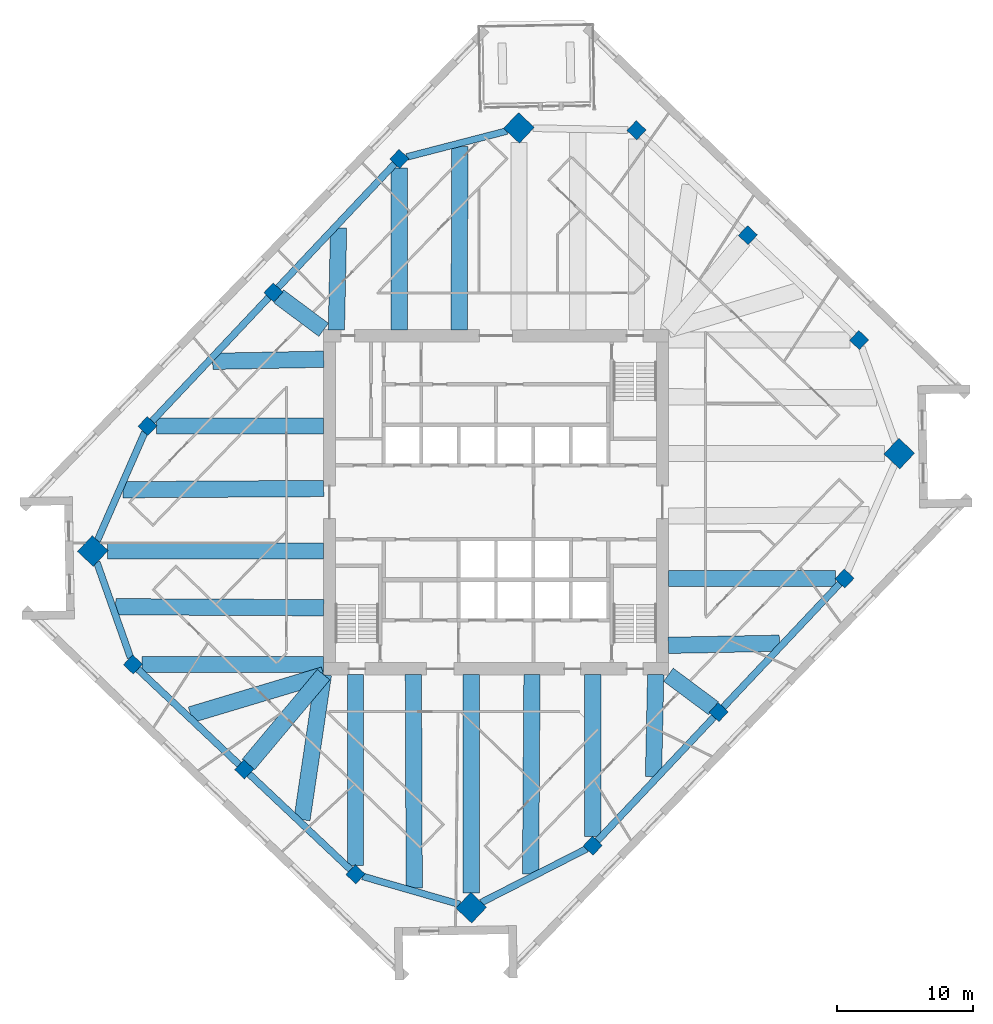
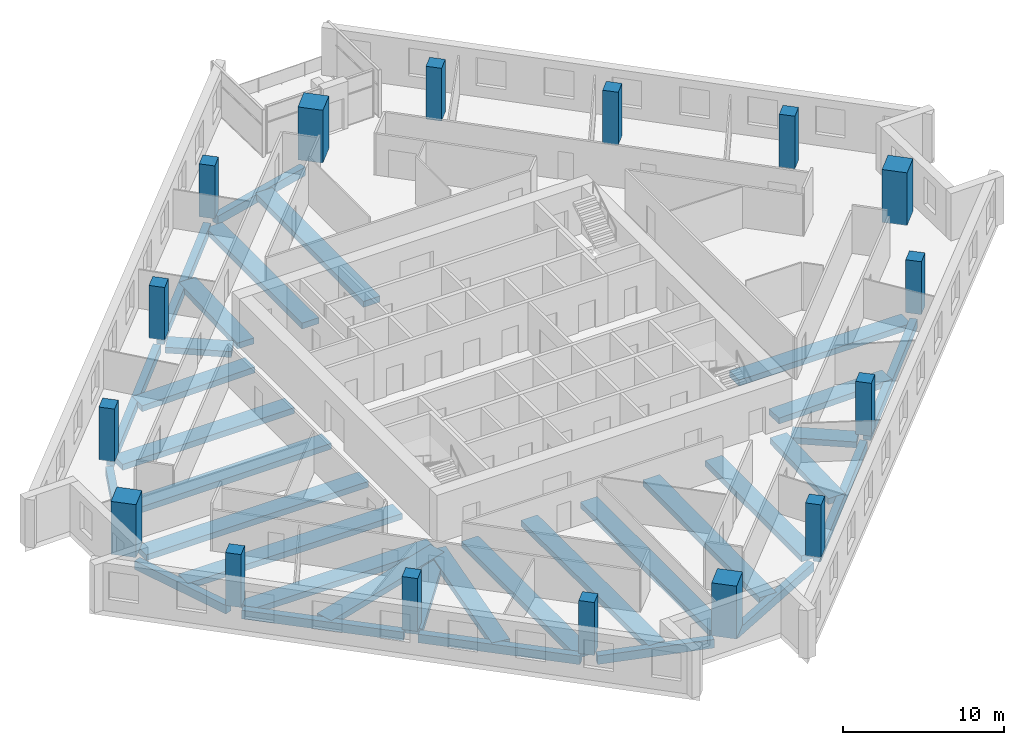
# One storey, part 1 of 13: 33 beams, 16 columns.
"""IFC4 building model written with IfcOpenShell, lengths in metres."""

from ifc_helpers import new_model, si_unit, direction, frame, origin, origin_2d, place, context, subcontext, project, spatial, rectangle, extrude, material, material_profile, profile_set, type_object, element, save


model = new_model("IFC4")

# Units and contexts
model_context = context("Model", 3, precision=1e-05, world=origin(), true_north=direction((0.0, 1.0)))
body_context = subcontext(model_context, "Body", "Model", "MODEL_VIEW")
ifc_project = project(units=[si_unit("LENGTHUNIT", "METRE"), si_unit("AREAUNIT", "SQUARE_METRE"), si_unit("VOLUMEUNIT", "CUBIC_METRE"), si_unit("PLANEANGLEUNIT", "RADIAN"), si_unit("MASSUNIT", "GRAM", prefix="KILO")], contexts=[model_context])

# Site, building, storey
site_placement = place(None, origin())
site = spatial("IfcSite", under=ifc_project, at=site_placement, CompositionType="ELEMENT")
building_placement = place(site_placement, origin())
building = spatial("IfcBuilding", under=site, at=building_placement, Name="Dilmun Exchange Tower", CompositionType="ELEMENT")
storey_placement = place(building_placement, frame((0.0, 0.0, 209.300048828125)))
storey = spatial("IfcBuildingStorey", under=building, at=storey_placement, Name="L49", CompositionType="ELEMENT", Elevation=209.300048828125)

# Columns
ifc_material_1 = material(Name="Concrete C60/75", Category="concrete")
ifc_material_profile_1 = material_profile(ifc_material_1, rectangle(XDim=1.60009765625, YDim=1.60009765625, at=origin_2d()), Name="1600 x 1600")
ifc_profile_set_1 = profile_set([ifc_material_profile_1], Name="Concrete C60/75")
column_type_1 = type_object("IfcColumnType", Name="RC mega column 1600 x 1600 C60/75", PredefinedType="COLUMN", material=ifc_profile_set_1)
for number, where, z_axis, x_axis, name in (
    (1, (1.68505859375, 27.5380859375, 0.0), (0.0, 0.0, 1.0), (0.685916152371, 0.727680583715, 0.0), "Mega column M1"),
    (2, (-29.658935546875, -3.58203125, 0.0), (0.0, 0.0, 1.0), (0.685916152371, 0.727680583715, 0.0), "Mega column M2"),
    (3, (-1.824951171875, -29.818115234375, 0.0), (0.0, 0.0, 1.0), (0.685916152371, 0.727680583715, 0.0), "Mega column M3"),
    (4, (29.658935546875, 3.58203125, 0.0), (0.0, 0.0, 1.0), (0.685916152371, 0.727680583715, 0.0), "Mega column M4"),
):
    element("IfcColumn", number, at=place(storey_placement, frame(where, z_axis=z_axis, x_axis=x_axis)), inside=storey, type_object=column_type_1, Name=name, PredefinedType="COLUMN", context=body_context, shape_type="SweptSolid", body=[
        extrude(rectangle(XDim=1.60009765625, YDim=1.60009765625, at=origin_2d()), origin(), (0.0, 0.0, 1.0), 4.0),
    ])
ifc_material_profile_2 = material_profile(ifc_material_1, rectangle(XDim=1.0, YDim=1.0, at=origin_2d()), Name="1000 x 1000")
ifc_profile_set_2 = profile_set([ifc_material_profile_2], Name="Concrete C60/75")
column_type_2 = type_object("IfcColumnType", Name="RC ring column 1000 x 1000 C60/75", PredefinedType="COLUMN", material=ifc_profile_set_2)
for number, where, z_axis, x_axis, name in (
    (5, (-7.113037109375, 25.257080078125, 0.0), (0.0, 0.0, 1.0), (0.685916152371, 0.727680583715, 0.0), "Ring column R01"),
    (6, (-16.373046875, 15.43310546875, 0.0), (0.0, 0.0, 1.0), (0.685916152371, 0.727680583715, 0.0), "Ring column R02"),
    (7, (-25.633056640625, 5.60888671875, 0.0), (0.0, 0.0, 1.0), (0.685916152371, 0.727680583715, 0.0), "Ring column R03"),
    (8, (-26.7060546875, -11.930908203125, 0.0), (0.0, 0.0, 1.0), (0.685916152371, 0.727680583715, 0.0), "Ring column R04"),
    (9, (-18.52001953125, -19.64697265625, 0.0), (0.0, 0.0, 1.0), (0.685916152371, 0.727680583715, 0.0), "Ring column R05"),
    (10, (-10.3330078125, -27.364013671875, 0.0), (0.0, 0.0, 1.0), (0.685916152371, 0.727680583715, 0.0), "Ring column R06"),
    (11, (7.113037109375, -25.257080078125, 0.0), (0.0, 0.0, 1.0), (0.685916152371, 0.727680583715, 0.0), "Ring column R07"),
    (12, (16.373046875, -15.43310546875, 0.0), (0.0, 0.0, 1.0), (0.685916152371, 0.727680583715, 0.0), "Ring column R08"),
    (13, (25.633056640625, -5.60888671875, 0.0), (0.0, 0.0, 1.0), (0.685916152371, 0.727680583715, 0.0), "Ring column R09"),
    (14, (26.7060546875, 11.930908203125, 0.0), (0.0, 0.0, 1.0), (0.685916152371, 0.727680583715, 0.0), "Ring column R10"),
    (15, (18.52001953125, 19.64697265625, 0.0), (0.0, 0.0, 1.0), (0.685916152371, 0.727680583715, 0.0), "Ring column R11"),
    (16, (10.3330078125, 27.364013671875, 0.0), (0.0, 0.0, 1.0), (0.685916152371, 0.727680583715, 0.0), "Ring column R12"),
):
    element("IfcColumn", number, at=place(storey_placement, frame(where, z_axis=z_axis, x_axis=x_axis)), inside=storey, type_object=column_type_2, Name=name, PredefinedType="COLUMN", context=body_context, shape_type="SweptSolid", body=[
        extrude(rectangle(XDim=1.0, YDim=1.0, at=origin_2d()), origin(), (0.0, 0.0, 1.0), 4.0),
    ])

# Beams
ifc_material_2 = material(Name="Concrete C40/50", Category="concrete")
ifc_material_profile_3 = material_profile(ifc_material_2, rectangle(XDim=1.199951171875, YDim=0.449951171875, at=origin_2d()), Name="1200 x 450")
ifc_profile_set_3 = profile_set([ifc_material_profile_3], Name="Concrete C40/50")
beam_type_1 = type_object("IfcBeamType", Name="RC band beam 1200 x 450 C40/50", PredefinedType="BEAM", material=ifc_profile_set_3)
beam_1_placement = place(storey_placement, frame((-7.113037109375, 24.596923828125, -0.705078125), z_axis=(0.0, -1.0, 0.0), x_axis=(1.0, 0.0, 0.0)))
element("IfcBeam", 17, at=beam_1_placement, inside=storey, type_object=beam_type_1, Name="Band beam 2", PredefinedType="BEAM", context=body_context, shape_type="SweptSolid", body=[
    extrude(rectangle(XDim=1.199951171875, YDim=0.449951171875, at=origin_2d()), origin(), (0.0, 0.0, 1.0), 11.923828125),
])
beam_2_placement = place(storey_placement, frame((-15.99072265625, 15.148681640625, -0.705078125), z_axis=(0.802264832552, -0.596968289317, 0.0), x_axis=(0.596968289317, 0.802264832552, 0.0)))
element("IfcBeam", 18, at=beam_2_placement, inside=storey, type_object=beam_type_1, Name="Band beam 3", PredefinedType="BEAM", context=body_context, shape_type="SweptSolid", body=[
    extrude(rectangle(XDim=1.199951171875, YDim=0.449951171875, at=origin_2d()), origin(), (0.0, 0.0, 1.0), 4.12890625),
])
beam_3_placement = place(storey_placement, frame((-24.972900390625, 5.60888671875, -0.705078125), z_axis=(1.0, 0.0, 0.0), x_axis=(0.0, 1.0, 0.0)))
element("IfcBeam", 19, at=beam_3_placement, inside=storey, type_object=beam_type_1, Name="Band beam 4", PredefinedType="BEAM", context=body_context, shape_type="SweptSolid", body=[
    extrude(rectangle(XDim=1.199951171875, YDim=0.449951171875, at=origin_2d()), origin(), (0.0, 0.0, 1.0), 12.2998046875),
])
beam_4_placement = place(storey_placement, frame((-28.586669921875, -3.58203125, -0.705078125), z_axis=(1.0, 0.0, 0.0), x_axis=(0.0, 1.0, 0.0)))
element("IfcBeam", 20, at=beam_4_placement, inside=storey, type_object=beam_type_1, Name="Band beam 5", PredefinedType="BEAM", context=body_context, shape_type="SweptSolid", body=[
    extrude(rectangle(XDim=1.199951171875, YDim=0.449951171875, at=origin_2d()), origin(), (0.0, 0.0, 1.0), 15.91357421875),
])
beam_5_placement = place(storey_placement, frame((-26.0458984375, -11.930908203125, -0.705078125), z_axis=(1.0, 0.0, 0.0), x_axis=(0.0, 1.0, 0.0)))
element("IfcBeam", 21, at=beam_5_placement, inside=storey, type_object=beam_type_1, Name="Band beam 6", PredefinedType="BEAM", context=body_context, shape_type="SweptSolid", body=[
    extrude(rectangle(XDim=1.199951171875, YDim=0.449951171875, at=origin_2d()), origin(), (0.0, 0.0, 1.0), 13.372802734375),
])
beam_6_placement = place(storey_placement, frame((-18.2158203125, -19.28369140625, -0.705078125), z_axis=(0.642200063897, 0.766537068856, 0.0), x_axis=(-0.766537068856, 0.642200063897, 0.0)))
element("IfcBeam", 22, at=beam_6_placement, inside=storey, type_object=beam_type_1, Name="Band beam 7", PredefinedType="BEAM", context=body_context, shape_type="SweptSolid", body=[
    extrude(rectangle(XDim=1.199951171875, YDim=0.449951171875, at=origin_2d()), origin(), (0.0, 0.0, 1.0), 8.615966796875),
])
beam_7_placement = place(storey_placement, frame((-10.3330078125, -26.703857421875, -0.705078125), z_axis=(0.0, 1.0, 0.0), x_axis=(-1.0, 0.0, 0.0)))
element("IfcBeam", 23, at=beam_7_placement, inside=storey, type_object=beam_type_1, Name="Band beam 8", PredefinedType="BEAM", context=body_context, shape_type="SweptSolid", body=[
    extrude(rectangle(XDim=1.199951171875, YDim=0.449951171875, at=origin_2d()), origin(), (0.0, 0.0, 1.0), 14.03076171875),
])
beam_8_placement = place(storey_placement, frame((-1.824951171875, -28.74560546875, -0.705078125), z_axis=(0.0, 1.0, 0.0), x_axis=(-1.0, 0.0, 0.0)))
element("IfcBeam", 24, at=beam_8_placement, inside=storey, type_object=beam_type_1, Name="Band beam 9", PredefinedType="BEAM", context=body_context, shape_type="SweptSolid", body=[
    extrude(rectangle(XDim=1.199951171875, YDim=0.449951171875, at=origin_2d()), origin(), (0.0, 0.0, 1.0), 16.072509765625),
])
beam_9_placement = place(storey_placement, frame((7.113037109375, -24.596923828125, -0.705078125), z_axis=(0.0, 1.0, 0.0), x_axis=(-1.0, 0.0, 0.0)))
element("IfcBeam", 25, at=beam_9_placement, inside=storey, type_object=beam_type_1, Name="Band beam 10", PredefinedType="BEAM", context=body_context, shape_type="SweptSolid", body=[
    extrude(rectangle(XDim=1.199951171875, YDim=0.449951171875, at=origin_2d()), origin(), (0.0, 0.0, 1.0), 11.923828125),
])
beam_10_placement = place(storey_placement, frame((15.99072265625, -15.148681640625, -0.705078125), z_axis=(-0.802264832552, 0.596968289317, 0.0), x_axis=(-0.596968289317, -0.802264832552, 0.0)))
element("IfcBeam", 26, at=beam_10_placement, inside=storey, type_object=beam_type_1, Name="Band beam 11", PredefinedType="BEAM", context=body_context, shape_type="SweptSolid", body=[
    extrude(rectangle(XDim=1.199951171875, YDim=0.449951171875, at=origin_2d()), origin(), (0.0, 0.0, 1.0), 4.12890625),
])
beam_11_placement = place(storey_placement, frame((24.972900390625, -5.60888671875, -0.705078125), z_axis=(-1.0, 0.0, 0.0), x_axis=(0.0, -1.0, 0.0)))
element("IfcBeam", 27, at=beam_11_placement, inside=storey, type_object=beam_type_1, Name="Band beam 12", PredefinedType="BEAM", context=body_context, shape_type="SweptSolid", body=[
    extrude(rectangle(XDim=1.199951171875, YDim=0.449951171875, at=origin_2d()), origin(), (0.0, 0.0, 1.0), 12.2998046875),
])
beam_12_placement = place(storey_placement, frame((-2.657958984375, 26.181640625, -0.60498046875), z_axis=(-0.004156765881, -0.999991360611, 0.0), x_axis=(0.999991360611, -0.004156765881, 0.0)))
element("IfcBeam", 28, at=beam_12_placement, inside=storey, type_object=beam_type_1, Name="Band beam 17", PredefinedType="BEAM", context=body_context, shape_type="SweptSolid", body=[
    extrude(rectangle(XDim=1.199951171875, YDim=0.449951171875, at=origin_2d()), origin(), (0.0, 0.0, 1.0), 13.508544921875),
])
beam_13_placement = place(storey_placement, frame((-11.580810546875, 20.19189453125, -0.60498046875), z_axis=(-0.021555532074, -0.999767652526, 0.0), x_axis=(0.999767652526, -0.021555532074, 0.0)))
element("IfcBeam", 29, at=beam_13_placement, inside=storey, type_object=beam_type_1, Name="Band beam 18", PredefinedType="BEAM", context=body_context, shape_type="SweptSolid", body=[
    extrude(rectangle(XDim=1.199951171875, YDim=0.449951171875, at=origin_2d()), origin(), (0.0, 0.0, 1.0), 7.5205078125),
])
beam_14_placement = place(storey_placement, frame((-20.8408203125, 10.367919921875, -0.60498046875), z_axis=(0.999824422594, 0.018738302585, 0.0), x_axis=(-0.018738302585, 0.999824422594, 0.0)))
element("IfcBeam", 30, at=beam_14_placement, inside=storey, type_object=beam_type_1, Name="Band beam 19", PredefinedType="BEAM", context=body_context, shape_type="SweptSolid", body=[
    extrude(rectangle(XDim=1.199951171875, YDim=0.449951171875, at=origin_2d()), origin(), (0.0, 0.0, 1.0), 8.169189453125),
])
beam_15_placement = place(storey_placement, frame((-27.441650390625, 0.924072265625, -0.60498046875), z_axis=(0.999981696912, 0.006050276087, 0.0), x_axis=(-0.006050276087, 0.999981696912, 0.0)))
element("IfcBeam", 31, at=beam_15_placement, inside=storey, type_object=beam_type_1, Name="Band beam 20", PredefinedType="BEAM", context=body_context, shape_type="SweptSolid", body=[
    extrude(rectangle(XDim=1.199951171875, YDim=0.449951171875, at=origin_2d()), origin(), (0.0, 0.0, 1.0), 14.768798828125),
])
beam_16_placement = place(storey_placement, frame((-27.972412109375, -7.68212890625, -0.60498046875), z_axis=(0.99998815601, -0.004867015408, 0.0), x_axis=(0.004867015408, 0.99998815601, 0.0)))
element("IfcBeam", 32, at=beam_16_placement, inside=storey, type_object=beam_type_1, Name="Band beam 21", PredefinedType="BEAM", context=body_context, shape_type="SweptSolid", body=[
    extrude(rectangle(XDim=1.199951171875, YDim=0.449951171875, at=origin_2d()), origin(), (0.0, 0.0, 1.0), 15.299560546875),
])
beam_17_placement = place(storey_placement, frame((-22.4599609375, -15.626708984375, -0.60498046875), z_axis=(0.957849959988, 0.287268957862, 0.0), x_axis=(-0.287268957862, 0.957849959988, 0.0)))
element("IfcBeam", 33, at=beam_17_placement, inside=storey, type_object=beam_type_1, Name="Band beam 22", PredefinedType="BEAM", context=body_context, shape_type="SweptSolid", body=[
    extrude(rectangle(XDim=1.199951171875, YDim=0.449951171875, at=origin_2d()), origin(), (0.0, 0.0, 1.0), 10.21630859375),
])
beam_18_placement = place(storey_placement, frame((-14.2734375, -23.34326171875, -0.60498046875), z_axis=(0.146268101323, 0.989244986106, 0.0), x_axis=(-0.989244986106, 0.146268101323, 0.0)))
element("IfcBeam", 34, at=beam_18_placement, inside=storey, type_object=beam_type_1, Name="Band beam 23", PredefinedType="BEAM", context=body_context, shape_type="SweptSolid", body=[
    extrude(rectangle(XDim=1.199951171875, YDim=0.449951171875, at=origin_2d()), origin(), (0.0, 0.0, 1.0), 10.785888671875),
])
beam_19_placement = place(storey_placement, frame((-6.01708984375, -28.376708984375, -0.60498046875), z_axis=(-0.003948851398, 0.999992203256, 0.0), x_axis=(-0.999992203256, -0.003948851398, 0.0)))
element("IfcBeam", 35, at=beam_19_placement, inside=storey, type_object=beam_type_1, Name="Band beam 24", PredefinedType="BEAM", context=body_context, shape_type="SweptSolid", body=[
    extrude(rectangle(XDim=1.199951171875, YDim=0.449951171875, at=origin_2d()), origin(), (0.0, 0.0, 1.0), 15.703857421875),
])
beam_20_placement = place(storey_placement, frame((2.54248046875, -27.3388671875, -0.60498046875), z_axis=(0.006924972536, 0.99997602209, 0.0), x_axis=(-0.99997602209, 0.006924972536, 0.0)))
element("IfcBeam", 36, at=beam_20_placement, inside=storey, type_object=beam_type_1, Name="Band beam 25", PredefinedType="BEAM", context=body_context, shape_type="SweptSolid", body=[
    extrude(rectangle(XDim=1.199951171875, YDim=0.449951171875, at=origin_2d()), origin(), (0.0, 0.0, 1.0), 14.666015625),
])
beam_21_placement = place(storey_placement, frame((11.580810546875, -20.19189453125, -0.60498046875), z_axis=(0.021555532074, 0.999767652526, 0.0), x_axis=(-0.999767652526, 0.021555532074, 0.0)))
element("IfcBeam", 37, at=beam_21_placement, inside=storey, type_object=beam_type_1, Name="Band beam 26", PredefinedType="BEAM", context=body_context, shape_type="SweptSolid", body=[
    extrude(rectangle(XDim=1.199951171875, YDim=0.449951171875, at=origin_2d()), origin(), (0.0, 0.0, 1.0), 7.5205078125),
])
beam_22_placement = place(storey_placement, frame((20.8408203125, -10.367919921875, -0.60498046875), z_axis=(-0.999824422594, -0.018738302585, 0.0), x_axis=(0.018738302585, -0.999824422594, 0.0)))
element("IfcBeam", 38, at=beam_22_placement, inside=storey, type_object=beam_type_1, Name="Band beam 27", PredefinedType="BEAM", context=body_context, shape_type="SweptSolid", body=[
    extrude(rectangle(XDim=1.199951171875, YDim=0.449951171875, at=origin_2d()), origin(), (0.0, 0.0, 1.0), 8.169189453125),
])
ifc_material_profile_4 = material_profile(ifc_material_2, rectangle(XDim=0.5, YDim=0.64990234375, at=origin_2d()), Name="500 x 650")
ifc_profile_set_4 = profile_set([ifc_material_profile_4], Name="Concrete C40/50")
beam_type_2 = type_object("IfcBeamType", Name="RC ring beam 500 x 650 C40/50", PredefinedType="SPANDREL", material=ifc_profile_set_4)
beam_23_placement = place(storey_placement, frame((0.79638671875, 27.3076171875, -0.705078125), z_axis=(-0.967995165605, -0.250968841424, 0.0), x_axis=(0.250968841424, -0.967995165605, 0.0)))
element("IfcBeam", 39, at=beam_23_placement, inside=storey, type_object=beam_type_2, Name="Ring beam 1", PredefinedType="SPANDREL", context=body_context, shape_type="SweptSolid", body=[
    extrude(rectangle(XDim=0.5, YDim=0.64990234375, at=origin_2d()), origin(), (0.0, 0.0, 1.0), 7.607177734375),
])
for number, where, z_axis, x_axis, name in (
    (40, (-7.4375, 24.912841796875, -0.705078125), (-0.685902559512, -0.727693396188, 0.0), (0.727693396188, -0.685902559512, 0.0), "Ring beam 2"),
    (41, (-16.697509765625, 15.0888671875, -0.705078125), (-0.685902559512, -0.727693396188, 0.0), (0.727693396188, -0.685902559512, 0.0), "Ring beam 3"),
):
    element("IfcBeam", number, at=place(storey_placement, frame(where, z_axis=z_axis, x_axis=x_axis)), inside=storey, type_object=beam_type_2, Name=name, PredefinedType="SPANDREL", context=body_context, shape_type="SweptSolid", body=[
        extrude(rectangle(XDim=0.5, YDim=0.64990234375, at=origin_2d()), origin(), (0.0, 0.0, 1.0), 12.554443359375),
    ])
beam_24_placement = place(storey_placement, frame((-25.835205078125, 5.1474609375, -0.705078125), z_axis=(-0.401239440722, -0.915973204416, 0.0), x_axis=(0.915973204416, -0.401239440722, 0.0)))
element("IfcBeam", 42, at=beam_24_placement, inside=storey, type_object=beam_type_2, Name="Ring beam 4", PredefinedType="SPANDREL", context=body_context, shape_type="SweptSolid", body=[
    extrude(rectangle(XDim=0.5, YDim=0.64990234375, at=origin_2d()), origin(), (0.0, 0.0, 1.0), 8.707763671875),
])
beam_25_placement = place(storey_placement, frame((-29.367919921875, -4.404541015625, -0.705078125), z_axis=(0.333423578623, -0.942777130195, 0.0), x_axis=(0.942777130195, 0.333423578623, 0.0)))
element("IfcBeam", 43, at=beam_25_placement, inside=storey, type_object=beam_type_2, Name="Ring beam 5", PredefinedType="SPANDREL", context=body_context, shape_type="SweptSolid", body=[
    extrude(rectangle(XDim=0.5, YDim=0.64990234375, at=origin_2d()), origin(), (0.0, 0.0, 1.0), 7.4482421875),
])
beam_26_placement = place(storey_placement, frame((-26.36181640625, -12.25537109375, -0.705078125), z_axis=(0.727685706374, -0.68591071776, 0.0), x_axis=(0.68591071776, 0.727685706374, 0.0)))
element("IfcBeam", 44, at=beam_26_placement, inside=storey, type_object=beam_type_2, Name="Ring beam 6", PredefinedType="SPANDREL", context=body_context, shape_type="SweptSolid", body=[
    extrude(rectangle(XDim=0.5, YDim=0.64990234375, at=origin_2d()), origin(), (0.0, 0.0, 1.0), 10.30322265625),
])
beam_27_placement = place(storey_placement, frame((-18.17578125, -19.971435546875, -0.705078125), z_axis=(0.727682990869, -0.685913598641, 0.0), x_axis=(0.685913598641, 0.727682990869, 0.0)))
element("IfcBeam", 45, at=beam_27_placement, inside=storey, type_object=beam_type_2, Name="Ring beam 7", PredefinedType="SPANDREL", context=body_context, shape_type="SweptSolid", body=[
    extrude(rectangle(XDim=0.5, YDim=0.64990234375, at=origin_2d()), origin(), (0.0, 0.0, 1.0), 10.3046875),
])
beam_28_placement = place(storey_placement, frame((-9.818603515625, -27.51220703125, -0.705078125), z_axis=(0.960825605861, -0.277153666983, 0.0), x_axis=(0.277153666983, 0.960825605861, 0.0)))
element("IfcBeam", 46, at=beam_28_placement, inside=storey, type_object=beam_type_2, Name="Ring beam 8", PredefinedType="SPANDREL", context=body_context, shape_type="SweptSolid", body=[
    extrude(rectangle(XDim=0.5, YDim=0.64990234375, at=origin_2d()), origin(), (0.0, 0.0, 1.0), 7.447021484375),
])
beam_29_placement = place(storey_placement, frame((-1.09228515625, -29.444091796875, -0.705078125), z_axis=(0.89072990219, 0.454532992581, 0.0), x_axis=(-0.454532992581, 0.89072990219, 0.0)))
element("IfcBeam", 47, at=beam_29_placement, inside=storey, type_object=beam_type_2, Name="Ring beam 9", PredefinedType="SPANDREL", context=body_context, shape_type="SweptSolid", body=[
    extrude(rectangle(XDim=0.5, YDim=0.64990234375, at=origin_2d()), origin(), (0.0, 0.0, 1.0), 8.707763671875),
])
for number, where, z_axis, x_axis, name in (
    (48, (7.4375, -24.912841796875, -0.705078125), (0.685902559512, 0.727693396188, 0.0), (-0.727693396188, 0.685902559512, 0.0), "Ring beam 10"),
    (49, (16.697509765625, -15.0888671875, -0.705078125), (0.685902559512, 0.727693396188, 0.0), (-0.727693396188, 0.685902559512, 0.0), "Ring beam 11"),
):
    element("IfcBeam", number, at=place(storey_placement, frame(where, z_axis=z_axis, x_axis=x_axis)), inside=storey, type_object=beam_type_2, Name=name, PredefinedType="SPANDREL", context=body_context, shape_type="SweptSolid", body=[
        extrude(rectangle(XDim=0.5, YDim=0.64990234375, at=origin_2d()), origin(), (0.0, 0.0, 1.0), 12.554443359375),
    ])

save(model, "model.ifc")
